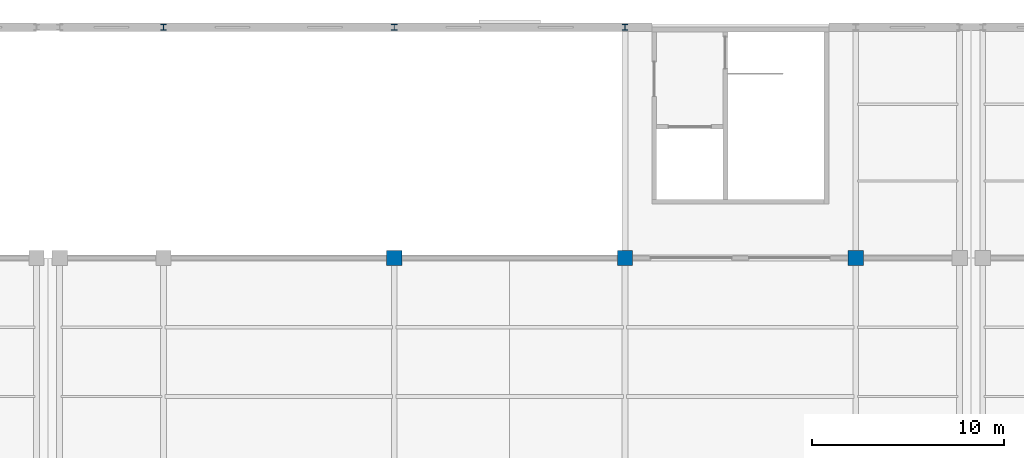
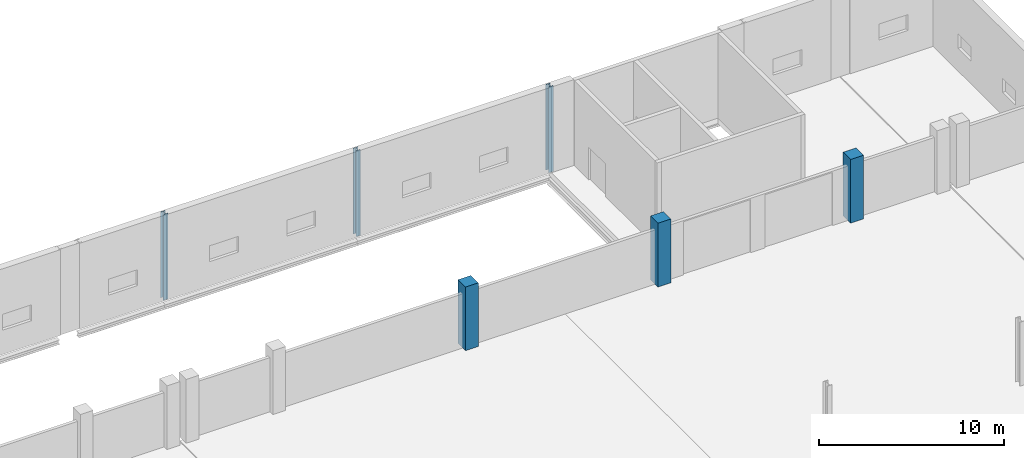
# One storey, part 24 of 147: 6 columns.
"""IFC4 building model written with IfcOpenShell, lengths in metres."""

import ifcopenshell
import ifcopenshell.guid

model = None  # the IFC model being written
_history = None  # IfcOwnerHistory: only IFC2X3 demands one
_inside = {}  # id of a spatial element -> (the spatial element, [elements in it])
_under = {}  # id of a project, library or spatial element -> (it, [spatial elements below it])
_declared = {}  # id of a project -> (the project, [libraries it declares])
_typed = {}  # id of a type object -> (the type object, [elements of that type])
_made_of = {}  # id of a material, layer set ... -> (it, [elements and type objects made of it])


def new_model(schema):
    """Start an empty IFC model of exactly this schema.

    Asked for "IFC4X3", IfcOpenShell would pick the latest addendum, in which some entities
    have other attributes; the version numbers below select the first issue.
    IFC2X3 requires an IfcOwnerHistory on every rooted entity: one is made here for all.
    """
    global model, _history
    if schema == "IFC4X3":
        model = ifcopenshell.file(schema_version=(4, 3, 0, 0))
    else:
        model = ifcopenshell.file(schema=schema)
    _inside.clear()
    _under.clear()
    _declared.clear()
    _typed.clear()
    _made_of.clear()
    _history = None
    if model.schema == "IFC2X3":
        org = make("IfcOrganization", Name="unknown")
        user = make(
            "IfcPersonAndOrganization",
            ThePerson=make("IfcPerson", FamilyName="unknown"),
            TheOrganization=org,
        )
        app = make(
            "IfcApplication",
            ApplicationDeveloper=org,
            Version="unknown",
            ApplicationFullName="unknown",
            ApplicationIdentifier="unknown",
        )
        _history = make(
            "IfcOwnerHistory",
            OwningUser=user,
            OwningApplication=app,
            ChangeAction="ADDED",
            CreationDate=0,
        )
    return model


def make(cls, **values):
    """One entity of the class cls with the attributes given. An attribute that is None is left unset."""
    return model.create_entity(
        cls, **{name: value for name, value in values.items() if value is not None}
    )


def rooted(cls, **values):
    """An entity with a GlobalId (a new one), such as an element, a storey or a relation."""
    return make(cls, GlobalId=ifcopenshell.guid.new(), OwnerHistory=_history, **values)


def si_unit(unit_type, name, prefix=None):
    """IfcSIUnit, for example si_unit("LENGTHUNIT", "METRE", prefix="MILLI")."""
    return make("IfcSIUnit", UnitType=unit_type, Prefix=prefix, Name=name)


def assignment(units):
    """IfcUnitAssignment: the units of a project."""
    return None if units is None else make("IfcUnitAssignment", Units=units)


def point(xyz):
    """IfcCartesianPoint."""
    return None if xyz is None else make("IfcCartesianPoint", Coordinates=xyz)


def direction(xyz):
    """IfcDirection."""
    return None if xyz is None else make("IfcDirection", DirectionRatios=xyz)


def frame(location, z_axis=None, x_axis=None):
    """IfcAxis2Placement3D, a coordinate frame: its origin and axes. An axis left out is left unset."""
    return make(
        "IfcAxis2Placement3D",
        Location=point(location),
        Axis=direction(z_axis),
        RefDirection=direction(x_axis),
    )


def frame_2d(location, x_axis=None):
    """IfcAxis2Placement2D, a coordinate frame in the plane: its origin and x axis."""
    return make(
        "IfcAxis2Placement2D", Location=point(location), RefDirection=direction(x_axis)
    )


def origin():
    """The frame at (0, 0, 0) with its axes left unset."""
    return frame((0.0, 0.0, 0.0))


def origin_2d():
    """The frame at (0, 0) in the plane with its x axis left unset."""
    return frame_2d((0.0, 0.0))


def place(relative_to, where):
    """IfcLocalPlacement: puts the frame where relative to a parent placement (None: the world)."""
    return make(
        "IfcLocalPlacement", PlacementRelTo=relative_to, RelativePlacement=where
    )


def context(
    kind, dimensions, precision=None, world=None, true_north=None, identifier=None
):
    """IfcGeometricRepresentationContext, for example the 3D "Model" context."""
    return make(
        "IfcGeometricRepresentationContext",
        ContextIdentifier=identifier,
        ContextType=kind,
        CoordinateSpaceDimension=dimensions,
        Precision=precision,
        WorldCoordinateSystem=world,
        TrueNorth=true_north,
    )


def subcontext(parent, identifier, kind, view, scale=None):
    """IfcGeometricRepresentationSubContext, for example "Body" below "Model"."""
    return make(
        "IfcGeometricRepresentationSubContext",
        ContextIdentifier=identifier,
        ContextType=kind,
        ParentContext=parent,
        TargetScale=scale,
        TargetView=view,
    )


def project(units=None, contexts=None):
    """IfcProject with its units and contexts."""
    return rooted(
        "IfcProject",
        Name="project",
        RepresentationContexts=contexts,
        UnitsInContext=assignment(units),
    )


def spatial(cls, under=None, at=None, **own):
    """A site, building, storey or space (cls), placed at a placement, below another one or the project."""
    s = rooted(cls, ObjectPlacement=at, **own)
    if under is not None:
        _under.setdefault(under.id(), (under, []))[1].append(s)
    return s


def profile(cls, at=None, kind="AREA", **sizes):
    """A parametric profile (cls). Its sizes go by their IFC names, for example OverallWidth=200.0."""
    return make(cls, ProfileType=kind, Position=at, **sizes)


def rectangle(**sizes):
    """IfcRectangleProfileDef."""
    return profile("IfcRectangleProfileDef", **sizes)


def i_section(**sizes):
    """IfcIShapeProfileDef."""
    return profile("IfcIShapeProfileDef", **sizes)


def extrude(swept, where, along, depth):
    """IfcExtrudedAreaSolid: the profile swept, set in the frame where, extruded along a direction by depth."""
    return make(
        "IfcExtrudedAreaSolid",
        SweptArea=swept,
        Position=where,
        ExtrudedDirection=direction(along),
        Depth=depth,
    )


def shape(context_of_items, identifier, shape_type, items):
    """IfcShapeRepresentation: the items that make up one representation, for example the "Body"."""
    return make(
        "IfcShapeRepresentation",
        ContextOfItems=context_of_items,
        RepresentationIdentifier=identifier,
        RepresentationType=shape_type,
        Items=items,
    )


def material(Name=None, Category=None):
    """IfcMaterial."""
    return make("IfcMaterial", Name=Name, Category=Category)


def material_profile(
    of_material, cross_section, Name=None, Category=None, Priority=None
):
    """IfcMaterialProfile: a cross section and its material."""
    return make(
        "IfcMaterialProfile",
        Name=Name,
        Material=of_material,
        Profile=cross_section,
        Priority=Priority,
        Category=Category,
    )


def profile_set(profiles, Name=None, composite=None):
    """IfcMaterialProfileSet."""
    return make(
        "IfcMaterialProfileSet",
        Name=Name,
        MaterialProfiles=profiles,
        CompositeProfile=composite,
    )


def made_of(thing, what):
    """Note that an element or type object is made of a material, layer set ...; save() writes the relation."""
    if what is not None:
        _made_of.setdefault(what.id(), (what, []))[1].append(thing)
    return thing


def type_object(cls, material=None, **own):
    """A type object (cls), such as IfcWallType, which elements share."""
    return made_of(rooted(cls, **own), material)


def element(
    cls,
    number,
    at=None,
    inside=None,
    cuts=None,
    type_object=None,
    material=None,
    context=None,
    identifier="Body",
    shape_type=None,
    held_by="IfcProductDefinitionShape",
    body=None,
    shapes=None,
    **own,
):
    """One element of the class cls, such as IfcWall. Its Tag is "e" and its number.

    at: its placement. inside: the storey or other place that contains it. cuts: it is an
    opening in that element (IfcRelVoidsElement). A single representation is given by context,
    identifier, shape_type and body (its items); several are given by shapes. held_by: the class
    of the entity that holds the representations. save() writes the other relations.
    """
    e = rooted(cls, Tag="e%d" % number, ObjectPlacement=at, **own)
    if body is not None:
        shapes = [shape(context, identifier, shape_type, body)]
    if shapes is not None:
        e.Representation = make(held_by, Representations=shapes)
    if inside is not None:
        _inside.setdefault(inside.id(), (inside, []))[1].append(e)
    if cuts is not None:
        rooted(
            "IfcRelVoidsElement", RelatingBuildingElement=cuts, RelatedOpeningElement=e
        )
    if type_object is not None:
        _typed.setdefault(type_object.id(), (type_object, []))[1].append(e)
    return made_of(e, material)


def aggregate(whole, parts):
    """IfcRelAggregates: a whole, such as a stair, and the parts it consists of."""
    return rooted("IfcRelAggregates", RelatingObject=whole, RelatedObjects=parts)


def save(model, path):
    """Write the relations noted so far, then the file.

    IfcRelAggregates (storeys below a building ...), IfcRelContainedInSpatialStructure (elements
    in a storey), IfcRelDefinesByType, IfcRelAssociatesMaterial and IfcRelDeclares: one each for
    every whole, place, type object, material and project.
    """
    for whole, parts in _under.values():
        aggregate(whole, parts)
    for where, things in _inside.values():
        rooted(
            "IfcRelContainedInSpatialStructure",
            RelatedElements=things,
            RelatingStructure=where,
        )
    for kind, things in _typed.values():
        rooted("IfcRelDefinesByType", RelatedObjects=things, RelatingType=kind)
    for what, things in _made_of.values():
        rooted("IfcRelAssociatesMaterial", RelatedObjects=things, RelatingMaterial=what)
    for by, libraries in _declared.values():
        rooted("IfcRelDeclares", RelatingContext=by, RelatedDefinitions=libraries)
    model.write(path)


model = new_model("IFC4")

# Units and contexts
model_context = context("Model", 3, precision=1e-05, world=origin(), true_north=direction((0.0, 1.0)))
body_context = subcontext(model_context, "Body", "Model", "MODEL_VIEW")
ifc_project = project(units=[si_unit("LENGTHUNIT", "METRE"), si_unit("AREAUNIT", "SQUARE_METRE"), si_unit("VOLUMEUNIT", "CUBIC_METRE"), si_unit("PLANEANGLEUNIT", "RADIAN"), si_unit("MASSUNIT", "GRAM", prefix="KILO")], contexts=[model_context])

# Site, building, storey
site_placement = place(None, origin())
site = spatial("IfcSite", under=ifc_project, at=site_placement, CompositionType="ELEMENT")
building_placement = place(site_placement, origin())
building = spatial("IfcBuilding", under=site, at=building_placement, Name="Zilviju Railside Exhibition Hall", CompositionType="ELEMENT")
storey_placement = place(building_placement, frame((0.0, 0.0, 8.39990234375)))
storey = spatial("IfcBuildingStorey", under=building, at=storey_placement, Name="L03", CompositionType="ELEMENT", Elevation=8.39990234375)

# Columns
ifc_material_1 = material(Name="Concrete C40/50", Category="concrete")
ifc_material_profile_1 = material_profile(ifc_material_1, rectangle(XDim=0.800048828125, YDim=0.800048828125, at=origin_2d()), Name="RC COL 800x800")
ifc_profile_set_1 = profile_set([ifc_material_profile_1], Name="Concrete C40/50")
column_type_1 = type_object("IfcColumnType", Name="COL-RC-800", PredefinedType="COLUMN", material=ifc_profile_set_1)
for number, where, z_axis, x_axis, name in (
    (1, (144.0, 138.0, 0.0), (0.0, 0.0, 1.0), (1.0, 0.0, 0.0), "Structural Column L03 (144.0, 138.0)"),
    (2, (156.0, 138.0, 0.0), (0.0, 0.0, 1.0), (1.0, 0.0, 0.0), "Structural Column L03 (156.0, 138.0)"),
    (3, (168.0, 138.0, 0.0), (0.0, 0.0, 1.0), (1.0, 0.0, 0.0), "Structural Column L03 (168.0, 138.0)"),
):
    element("IfcColumn", number, at=place(storey_placement, frame(where, z_axis=z_axis, x_axis=x_axis)), inside=storey, type_object=column_type_1, Name=name, PredefinedType="COLUMN", context=body_context, shape_type="SweptSolid", body=[
        extrude(rectangle(XDim=0.800048828125, YDim=0.800048828125, at=origin_2d()), origin(), (0.0, 0.0, 1.0), 4.2001953125),
    ])
ifc_material_2 = material(Name="Steel S355J2", Category="steel")
ifc_material_profile_2 = material_profile(ifc_material_2, i_section(OverallWidth=0.300048828125, OverallDepth=0.300048828125, WebThickness=0.010986328125, FlangeThickness=0.01904296875, at=origin_2d()), Name="HEB 300")
ifc_profile_set_2 = profile_set([ifc_material_profile_2], Name="Steel S355J2")
column_type_2 = type_object("IfcColumnType", Name="COL-ST-HEB300", PredefinedType="COLUMN", material=ifc_profile_set_2)
for number, where, z_axis, x_axis, name in (
    (4, (132.0, 150.0, 0.0), (0.0, 0.0, 1.0), (1.0, 0.0, 0.0), "Structural Column L03 (132.0, 150.0)"),
    (5, (144.0, 150.0, 0.0), (0.0, 0.0, 1.0), (1.0, 0.0, 0.0), "Structural Column L03 (144.0, 150.0)"),
    (6, (156.0, 150.0, 0.0), (0.0, 0.0, 1.0), (1.0, 0.0, 0.0), "Structural Column L03 (156.0, 150.0)"),
):
    element("IfcColumn", number, at=place(storey_placement, frame(where, z_axis=z_axis, x_axis=x_axis)), inside=storey, type_object=column_type_2, Name=name, PredefinedType="COLUMN", context=body_context, shape_type="SweptSolid", body=[
        extrude(i_section(OverallWidth=0.300048828125, OverallDepth=0.300048828125, WebThickness=0.010986328125, FlangeThickness=0.01904296875, at=origin_2d()), origin(), (0.0, 0.0, 1.0), 5.650146484375),
    ])

save(model, "model.ifc")
